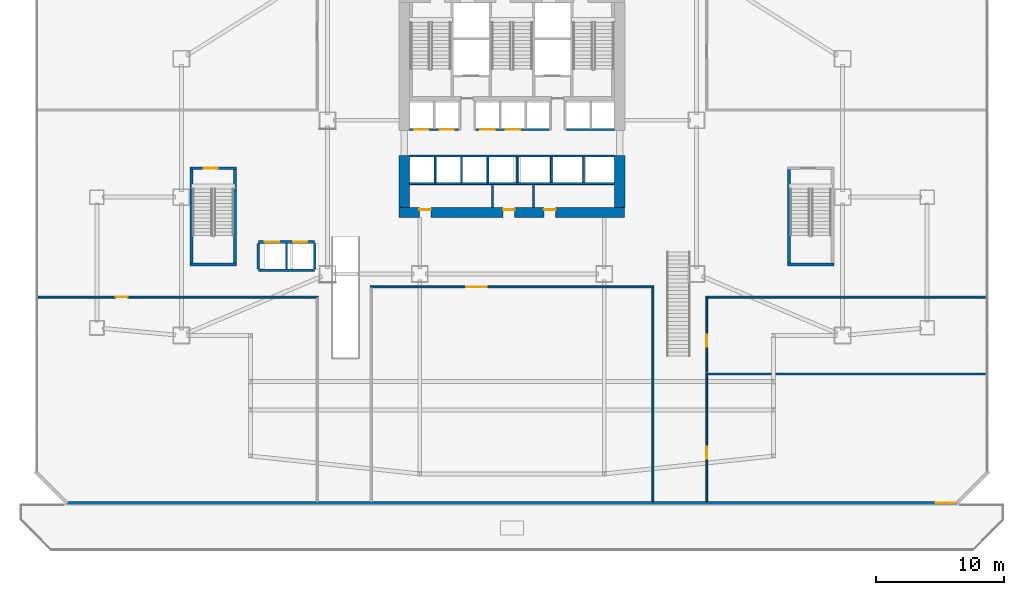
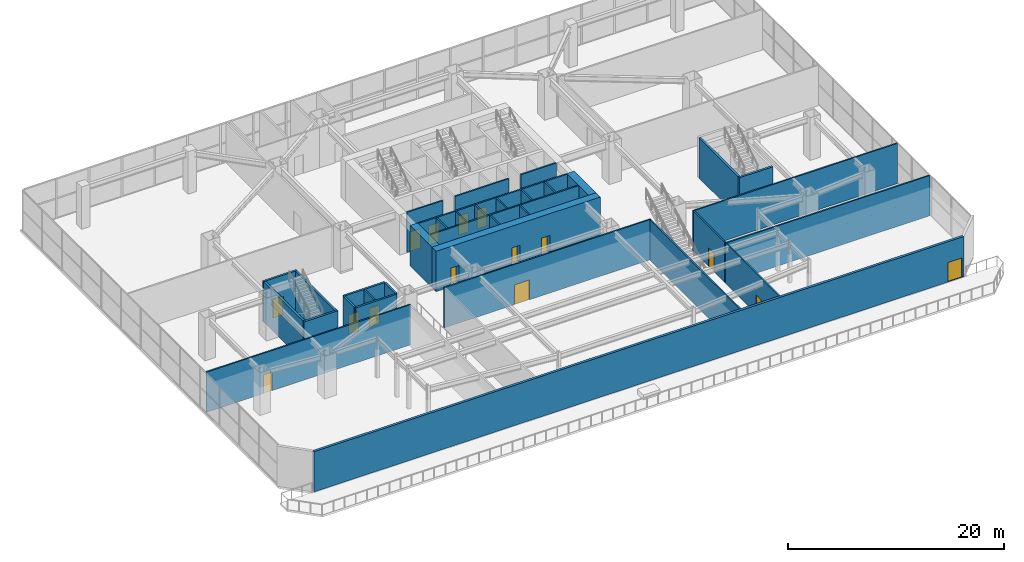
# One storey, part 24 of 31: 35 walls, 15 doors, 15 openings.
"""IFC4 building model written with IfcOpenShell, lengths in metres."""

from ifc_helpers import new_model, si_unit, direction, frame, frame_2d, origin, place, context, subcontext, project, spatial, rectangle, extrude, material, layer, layer_set, type_object, element, fill, save


model = new_model("IFC4")

# Units and contexts
model_context = context("Model", 3, precision=1e-05, world=origin(), true_north=direction((0.0, 1.0)))
body_context = subcontext(model_context, "Body", "Model", "MODEL_VIEW")
ifc_project = project(units=[si_unit("LENGTHUNIT", "METRE"), si_unit("AREAUNIT", "SQUARE_METRE"), si_unit("VOLUMEUNIT", "CUBIC_METRE"), si_unit("PLANEANGLEUNIT", "RADIAN"), si_unit("MASSUNIT", "GRAM", prefix="KILO")], contexts=[model_context])

# Site, building, storey
site_placement = place(None, origin())
site = spatial("IfcSite", under=ifc_project, at=site_placement, CompositionType="ELEMENT")
building_placement = place(site_placement, origin())
building = spatial("IfcBuilding", under=site, at=building_placement, Name="Haolan Belvedere Tower", CompositionType="ELEMENT")
storey_placement = place(building_placement, frame((0.0, 0.0, 5.39990234375)))
storey = spatial("IfcBuildingStorey", under=building, at=storey_placement, Name="L01", CompositionType="ELEMENT", Elevation=5.39990234375)

# Wall, openings, doors
ifc_material_1 = material(Name="Concrete C70/85", Category="concrete")
ifc_layer_1 = layer(ifc_material_1, 0.800048828125, Name="Concrete C70/85")
ifc_layer_set_1 = layer_set([ifc_layer_1], Name="Concrete C70/85")
wall_type_1 = type_object("IfcWallType", Name="WL-CORE-800", PredefinedType="SHEAR", material=ifc_layer_set_1)
wall_1_placement = place(storey_placement, frame((29.60009765625, 26.39990234375, 0.0), z_axis=(0.0, 0.0, 1.0), x_axis=(1.0, 0.0, 0.0)))
wall_1 = element("IfcWall", 1, at=wall_1_placement, inside=storey, type_object=wall_type_1, Name="L01 central core south shear wall", PredefinedType="SHEAR", context=body_context, shape_type="SweptSolid", body=[
    extrude(rectangle(XDim=17.599853515625, YDim=0.800048828125, at=frame_2d((8.7998046875, 0.0))), origin(), (0.0, 0.0, 1.0), 4.56005859375),
])
opening_1_placement = place(wall_1_placement, frame((2.469970703125, 0.0, 0.0), z_axis=(0.0, 0.0, 1.0), x_axis=(-1.0, 0.0, 0.0)))
opening_1 = element("IfcOpeningElement", 2, at=opening_1_placement, cuts=wall_1, Name="Opening FD-05", PredefinedType="OPENING", context=body_context, shape_type="SweptSolid", body=[
    extrude(rectangle(XDim=0.89990234375, YDim=2.10009765625, at=frame_2d((0.449951171875, 1.050048828125))), frame((0.0, 0.409912109375, 0.0), z_axis=(0.0, -1.0, 0.0), x_axis=(1.0, 0.0, 0.0)), (0.0, 0.0, 1.0), 0.820068359375),
])
opening_2_placement = place(wall_1_placement, frame((9.010009765625, 0.0, 0.0), z_axis=(0.0, 0.0, 1.0), x_axis=(-1.0, 0.0, 0.0)))
opening_2 = element("IfcOpeningElement", 3, at=opening_2_placement, cuts=wall_1, Name="Opening FD-05", PredefinedType="OPENING", context=body_context, shape_type="SweptSolid", body=[
    extrude(rectangle(XDim=0.89990234375, YDim=2.10009765625, at=frame_2d((0.449951171875, 1.050048828125))), frame((0.0, 0.409912109375, 0.0), z_axis=(0.0, -1.0, 0.0), x_axis=(1.0, 0.0, 0.0)), (0.0, 0.0, 1.0), 0.820068359375),
])
opening_3_placement = place(wall_1_placement, frame((12.2099609375, 0.0, 0.0), z_axis=(0.0, 0.0, 1.0), x_axis=(-1.0, 0.0, 0.0)))
opening_3 = element("IfcOpeningElement", 4, at=opening_3_placement, cuts=wall_1, Name="Opening FD-05", PredefinedType="OPENING", context=body_context, shape_type="SweptSolid", body=[
    extrude(rectangle(XDim=0.89990234375, YDim=2.10009765625, at=frame_2d((0.449951171875, 1.050048828125))), frame((0.0, 0.409912109375, 0.0), z_axis=(0.0, -1.0, 0.0), x_axis=(1.0, 0.0, 0.0)), (0.0, 0.0, 1.0), 0.820068359375),
])
ifc_material_2 = material(Name="Galvanised fire-rated steel", Category="steel")
door_type_1 = type_object("IfcDoorType", Name="DR-FD60-900", OperationType="NOTDEFINED", PredefinedType="DOOR", material=ifc_material_2)
door_1_placement = place(opening_1_placement, origin())
door_1 = element("IfcDoor", 5, at=door_1_placement, inside=storey, type_object=door_type_1, Name="L01 door CD-L01-SCV-1", OperationType="SINGLE_SWING_LEFT", OverallHeight=2.10009765625, OverallWidth=0.89990234375, PredefinedType="DOOR", context=body_context, shape_type="SweptSolid", body=[
    extrude(rectangle(XDim=0.89990234375, YDim=2.10009765625, at=frame_2d((0.449951171875, 1.050048828125))), frame((0.0, -0.19482421875, 0.0), z_axis=(0.0, -1.0, 0.0), x_axis=(1.0, 0.0, 0.0)), (0.0, 0.0, 1.0), 0.050048828125),
])
fill(opening_1, door_1)
door_2_placement = place(opening_2_placement, origin())
door_2 = element("IfcDoor", 6, at=door_2_placement, inside=storey, type_object=door_type_1, Name="L01 door CD-L01-SCV-2", OperationType="SINGLE_SWING_RIGHT", OverallHeight=2.10009765625, OverallWidth=0.89990234375, PredefinedType="DOOR", context=body_context, shape_type="SweptSolid", body=[
    extrude(rectangle(XDim=0.89990234375, YDim=2.10009765625, at=frame_2d((0.449951171875, 1.050048828125))), frame((0.0, -0.19482421875, 0.0), z_axis=(0.0, -1.0, 0.0), x_axis=(1.0, 0.0, 0.0)), (0.0, 0.0, 1.0), 0.050048828125),
])
fill(opening_2, door_2)
door_3_placement = place(opening_3_placement, origin())
door_3 = element("IfcDoor", 7, at=door_3_placement, inside=storey, type_object=door_type_1, Name="L01 door CD-L01-SCV-3", OperationType="SINGLE_SWING_LEFT", OverallHeight=2.10009765625, OverallWidth=0.89990234375, PredefinedType="DOOR", context=body_context, shape_type="SweptSolid", body=[
    extrude(rectangle(XDim=0.89990234375, YDim=2.10009765625, at=frame_2d((0.449951171875, 1.050048828125))), frame((0.0, -0.19482421875, 0.0), z_axis=(0.0, -1.0, 0.0), x_axis=(1.0, 0.0, 0.0)), (0.0, 0.0, 1.0), 0.050048828125),
])
fill(opening_3, door_3)

# Walls
for number, where, z_axis, x_axis, name in (
    (8, (30.0, 26.800048828125, 0.0), (0.0, 0.0, 1.0), (0.0, 1.0, 0.0), "L01 central core shear wall WS"),
    (9, (46.800048828125, 26.800048828125, 0.0), (0.0, 0.0, 1.0), (0.0, 1.0, 0.0), "L01 central core shear wall ES"),
):
    element("IfcWall", number, at=place(storey_placement, frame(where, z_axis=z_axis, x_axis=x_axis)), inside=storey, type_object=wall_type_1, Name=name, PredefinedType="SHEAR", context=body_context, shape_type="SweptSolid", body=[
        extrude(rectangle(XDim=4.050048828125, YDim=0.800048828125, at=frame_2d((2.02490234375, 0.0))), origin(), (0.0, 0.0, 1.0), 4.56005859375),
    ])

# Wall, opening, door
ifc_material_3 = material(Name="Precast concrete C40/50", Category="concrete")
ifc_layer_2 = layer(ifc_material_3, 0.260009765625, Name="Precast concrete C40/50")
ifc_layer_set_2 = layer_set([ifc_layer_2], Name="Precast concrete C40/50")
wall_type_2 = type_object("IfcWallType", Name="WL-EXT-260", PredefinedType="SOLIDWALL", material=ifc_layer_set_2)
wall_2_placement = place(storey_placement, frame((3.598876953125, 3.72998046875, 0.0), z_axis=(0.0, 0.0, 1.0), x_axis=(1.0, 0.0, 0.0)))
wall_2 = element("IfcWall", 10, at=wall_2_placement, inside=storey, type_object=wall_type_2, Name="L01 pale-metal exterior spandrel wall 6.1", PredefinedType="SOLIDWALL", context=body_context, shape_type="SweptSolid", body=[
    extrude(rectangle(XDim=69.602294921875, YDim=0.260009765625, at=frame_2d((34.80126953125, 0.0))), origin(), (0.0, 0.0, 1.0), 4.56005859375),
])
opening_4_placement = place(wall_2_placement, frame((69.38232421875, 0.0, 0.0), z_axis=(0.0, 0.0, 1.0), x_axis=(-1.0, 0.0, 0.0)))
opening_4 = element("IfcOpeningElement", 11, at=opening_4_placement, cuts=wall_2, Name="Opening TD-01", PredefinedType="OPENING", context=body_context, shape_type="SweptSolid", body=[
    extrude(rectangle(XDim=1.5, YDim=2.199951171875, at=frame_2d((0.75, 1.10009765625))), frame((0.0, 0.139892578125, 0.0), z_axis=(0.0, -1.0, 0.0), x_axis=(1.0, 0.0, 0.0)), (0.0, 0.0, 1.0), 0.280029296875),
])
ifc_material_4 = material(Name="Thermally broken pale-metal aluminium and Low-E glass", Category="aluminium")
door_type_2 = type_object("IfcDoorType", Name="DR-TER-1500", OperationType="DOUBLE_DOOR_SINGLE_SWING", PredefinedType="DOOR", material=ifc_material_4)
door_4_placement = place(opening_4_placement, origin())
door_4 = element("IfcDoor", 12, at=door_4_placement, inside=storey, type_object=door_type_2, Name="L01 garden terrace access door 1", OperationType="DOUBLE_DOOR_SINGLE_SWING", OverallHeight=2.199951171875, OverallWidth=1.5, PredefinedType="DOOR", context=body_context, shape_type="SweptSolid", body=[
    extrude(rectangle(XDim=1.5, YDim=2.199951171875, at=frame_2d((0.75, 1.10009765625))), frame((0.0, 0.02490234375, 0.0), z_axis=(0.0, -1.0, 0.0), x_axis=(1.0, 0.0, 0.0)), (0.0, 0.0, 1.0), 0.050048828125),
])
fill(opening_4, door_4)

# Walls
ifc_material_5 = material(Name="Double gypsum acoustic stud partition", Category="masonry")
ifc_layer_3 = layer(ifc_material_5, 0.14990234375, Name="Double gypsum acoustic stud partition")
ifc_layer_set_3 = layer_set([ifc_layer_3], Name="Double gypsum acoustic stud partition")
wall_type_3 = type_object("IfcWallType", Name="WL-PART-150", PredefinedType="PARTITIONING", material=ifc_layer_set_3)
wall_3_placement = place(storey_placement, frame((30.39990234375, 28.659912109375, 0.0), z_axis=(0.0, 0.0, 1.0), x_axis=(1.0, 0.0, 0.0)))
element("IfcWall", 13, at=wall_3_placement, inside=storey, type_object=wall_type_3, Name="L01 interior partition IW-L01-SSTRIP-N", PredefinedType="PARTITIONING", context=body_context, shape_type="SweptSolid", body=[
    extrude(rectangle(XDim=16.0, YDim=0.14990234375, at=frame_2d((8.0, 0.0))), origin(), (0.0, 0.0, 1.0), 4.56005859375),
])
for number, where, z_axis, x_axis, name in (
    (14, (36.8798828125, 26.81005859375, 0.0), (0.0, 0.0, 1.0), (0.0, 1.0, 0.0), "L01 interior partition IW-L01-SCV-DIV-1"),
    (15, (40.080078125, 26.81005859375, 0.0), (0.0, 0.0, 1.0), (0.0, 1.0, 0.0), "L01 interior partition IW-L01-SCV-DIV-2"),
):
    element("IfcWall", number, at=place(storey_placement, frame(where, z_axis=z_axis, x_axis=x_axis)), inside=storey, type_object=wall_type_3, Name=name, PredefinedType="PARTITIONING", context=body_context, shape_type="SweptSolid", body=[
        extrude(rectangle(XDim=1.77001953125, YDim=0.14990234375, at=frame_2d((0.885009765625, 0.0))), origin(), (0.0, 0.0, 1.0), 4.56005859375),
    ])

# Wall, opening, door
wall_4_placement = place(storey_placement, frame((27.320068359375, 20.60009765625, 0.0), z_axis=(0.0, 0.0, 1.0), x_axis=(1.0, 0.0, 0.0)))
wall_4 = element("IfcWall", 16, at=wall_4_placement, inside=storey, type_object=wall_type_3, Name="L01 interior partition IW-L01-ADD-N", PredefinedType="PARTITIONING", context=body_context, shape_type="SweptSolid", body=[
    extrude(rectangle(XDim=22.159912109375, YDim=0.14990234375, at=frame_2d((11.080078125, 0.0))), origin(), (0.0, 0.0, 1.0), 4.56005859375),
])
opening_5_placement = place(wall_4_placement, frame((9.10009765625, 0.0, 0.0), z_axis=(0.0, 0.0, 1.0), x_axis=(-1.0, 0.0, 0.0)))
opening_5 = element("IfcOpeningElement", 17, at=opening_5_placement, cuts=wall_4, Name="Opening ID-06", PredefinedType="OPENING", context=body_context, shape_type="SweptSolid", body=[
    extrude(rectangle(XDim=1.60009765625, YDim=2.25, at=frame_2d((0.800048828125, 1.125))), frame((0.0, 0.0849609375, 0.0), z_axis=(0.0, -1.0, 0.0), x_axis=(1.0, 0.0, 0.0)), (0.0, 0.0, 1.0), 0.169921875),
])
ifc_material_6 = material(Name="Anodised bronze-champagne aluminium and acoustic glass", Category="aluminium")
door_type_3 = type_object("IfcDoorType", Name="DR-DBL-1600", OperationType="DOUBLE_DOOR_SINGLE_SWING", PredefinedType="DOOR", material=ifc_material_6)
door_5_placement = place(opening_5_placement, origin())
door_5 = element("IfcDoor", 18, at=door_5_placement, inside=storey, type_object=door_type_3, Name="L01 door ID-L01-ADD", OperationType="DOUBLE_DOOR_SINGLE_SWING", OverallHeight=2.25, OverallWidth=1.60009765625, PredefinedType="DOOR", context=body_context, shape_type="SweptSolid", body=[
    extrude(rectangle(XDim=1.60009765625, YDim=2.25, at=frame_2d((0.800048828125, 1.125))), frame((0.0, 0.02490234375, 0.0), z_axis=(0.0, -1.0, 0.0), x_axis=(1.0, 0.0, 0.0)), (0.0, 0.0, 1.0), 0.050048828125),
])
fill(opening_5, door_5)

# Wall
wall_5_placement = place(storey_placement, frame((49.39990234375, 3.844970703125, 0.0), z_axis=(0.0, 0.0, 1.0), x_axis=(0.0, 1.0, 0.0)))
element("IfcWall", 19, at=wall_5_placement, inside=storey, type_object=wall_type_3, Name="L01 interior partition IW-L01-ADD-E", PredefinedType="PARTITIONING", context=body_context, shape_type="SweptSolid", body=[
    extrude(rectangle(XDim=16.695068359375, YDim=0.14990234375, at=frame_2d((8.34765625, 0.0))), origin(), (0.0, 0.0, 1.0), 4.56005859375),
])

# Wall, opening, door
wall_6_placement = place(storey_placement, frame((1.412109375, 19.800048828125, 0.0), z_axis=(0.0, 0.0, 1.0), x_axis=(1.0, 0.0, 0.0)))
wall_6 = element("IfcWall", 20, at=wall_6_placement, inside=storey, type_object=wall_type_3, Name="L01 interior partition IW-L01-CANT-N", PredefinedType="PARTITIONING", context=body_context, shape_type="SweptSolid", body=[
    extrude(rectangle(XDim=21.867919921875, YDim=0.14990234375, at=frame_2d((10.93408203125, 0.0))), origin(), (0.0, 0.0, 1.0), 4.56005859375),
])
opening_6_placement = place(wall_6_placement, frame((7.008056640625, 0.0, 0.0), z_axis=(0.0, 0.0, 1.0), x_axis=(-1.0, 0.0, 0.0)))
opening_6 = element("IfcOpeningElement", 21, at=opening_6_placement, cuts=wall_6, Name="Opening ID-03", PredefinedType="OPENING", context=body_context, shape_type="SweptSolid", body=[
    extrude(rectangle(XDim=0.949951171875, YDim=2.1201171875, at=frame_2d((0.47509765625, 1.06005859375))), frame((0.0, 0.0849609375, 0.0), z_axis=(0.0, -1.0, 0.0), x_axis=(1.0, 0.0, 0.0)), (0.0, 0.0, 1.0), 0.169921875),
])
ifc_material_7 = material(Name="Painted solid-core timber", Category="wood")
door_type_4 = type_object("IfcDoorType", Name="DR-INT-950", OperationType="NOTDEFINED", PredefinedType="DOOR", material=ifc_material_7)
door_6_placement = place(opening_6_placement, origin())
door_6 = element("IfcDoor", 22, at=door_6_placement, inside=storey, type_object=door_type_4, Name="L01 door ID-L01-CANT", OperationType="SINGLE_SWING_LEFT", OverallHeight=2.1201171875, OverallWidth=0.949951171875, PredefinedType="DOOR", context=body_context, shape_type="SweptSolid", body=[
    extrude(rectangle(XDim=0.949951171875, YDim=2.1201171875, at=frame_2d((0.47509765625, 1.06005859375))), frame((0.0, 0.02490234375, 0.0), z_axis=(0.0, -1.0, 0.0), x_axis=(1.0, 0.0, 0.0)), (0.0, 0.0, 1.0), 0.050048828125),
])
fill(opening_6, door_6)

# Wall
wall_7_placement = place(storey_placement, frame((53.52001953125, 13.800048828125, 0.0), z_axis=(0.0, 0.0, 1.0), x_axis=(1.0, 0.0, 0.0)))
element("IfcWall", 23, at=wall_7_placement, inside=storey, type_object=wall_type_3, Name="L01 interior partition IW-L01-PDR1-N", PredefinedType="PARTITIONING", context=body_context, shape_type="SweptSolid", body=[
    extrude(rectangle(XDim=21.867919921875, YDim=0.14990234375, at=frame_2d((10.93408203125, 0.0))), origin(), (0.0, 0.0, 1.0), 4.56005859375),
])

# Wall, opening, door
wall_8_placement = place(storey_placement, frame((53.60009765625, 3.844970703125, 0.0), z_axis=(0.0, 0.0, 1.0), x_axis=(0.0, 1.0, 0.0)))
wall_8 = element("IfcWall", 24, at=wall_8_placement, inside=storey, type_object=wall_type_3, Name="L01 interior partition IW-L01-PDR1-W", PredefinedType="PARTITIONING", context=body_context, shape_type="SweptSolid", body=[
    extrude(rectangle(XDim=9.89501953125, YDim=0.14990234375, at=frame_2d((4.947509765625, 0.0))), origin(), (0.0, 0.0, 1.0), 4.56005859375),
])
opening_7_placement = place(wall_8_placement, frame((3.324951171875, 0.0, 0.0)))
opening_7 = element("IfcOpeningElement", 25, at=opening_7_placement, cuts=wall_8, Name="Opening ID-03", PredefinedType="OPENING", context=body_context, shape_type="SweptSolid", body=[
    extrude(rectangle(XDim=0.949951171875, YDim=2.1201171875, at=frame_2d((0.47509765625, 1.06005859375))), frame((0.0, 0.0849609375, 0.0), z_axis=(0.0, -1.0, 0.0), x_axis=(1.0, 0.0, 0.0)), (0.0, 0.0, 1.0), 0.169921875),
])
door_7_placement = place(opening_7_placement, origin())
door_7 = element("IfcDoor", 26, at=door_7_placement, inside=storey, type_object=door_type_4, Name="L01 door ID-L01-PDR1", OperationType="SINGLE_SWING_RIGHT", OverallHeight=2.1201171875, OverallWidth=0.949951171875, PredefinedType="DOOR", context=body_context, shape_type="SweptSolid", body=[
    extrude(rectangle(XDim=0.949951171875, YDim=2.1201171875, at=frame_2d((0.47509765625, 1.06005859375))), frame((0.0, 0.02490234375, 0.0), z_axis=(0.0, -1.0, 0.0), x_axis=(1.0, 0.0, 0.0)), (0.0, 0.0, 1.0), 0.050048828125),
])
fill(opening_7, door_7)

# Wall
wall_9_placement = place(storey_placement, frame((53.52001953125, 19.800048828125, 0.0), z_axis=(0.0, 0.0, 1.0), x_axis=(1.0, 0.0, 0.0)))
element("IfcWall", 27, at=wall_9_placement, inside=storey, type_object=wall_type_3, Name="L01 interior partition IW-L01-PDR2-N", PredefinedType="PARTITIONING", context=body_context, shape_type="SweptSolid", body=[
    extrude(rectangle(XDim=21.867919921875, YDim=0.14990234375, at=frame_2d((10.93408203125, 0.0))), origin(), (0.0, 0.0, 1.0), 4.56005859375),
])

# Wall, opening, door
wall_10_placement = place(storey_placement, frame((53.60009765625, 13.919921875, 0.0), z_axis=(0.0, 0.0, 1.0), x_axis=(0.0, 1.0, 0.0)))
wall_10 = element("IfcWall", 28, at=wall_10_placement, inside=storey, type_object=wall_type_3, Name="L01 interior partition IW-L01-PDR2-W", PredefinedType="PARTITIONING", context=body_context, shape_type="SweptSolid", body=[
    extrude(rectangle(XDim=5.820068359375, YDim=0.14990234375, at=frame_2d((2.91015625, 0.0))), origin(), (0.0, 0.0, 1.0), 4.56005859375),
])
opening_8_placement = place(wall_10_placement, frame((2.0, 0.0, 0.0)))
opening_8 = element("IfcOpeningElement", 29, at=opening_8_placement, cuts=wall_10, Name="Opening ID-03", PredefinedType="OPENING", context=body_context, shape_type="SweptSolid", body=[
    extrude(rectangle(XDim=0.949951171875, YDim=2.1201171875, at=frame_2d((0.47509765625, 1.06005859375))), frame((0.0, 0.0849609375, 0.0), z_axis=(0.0, -1.0, 0.0), x_axis=(1.0, 0.0, 0.0)), (0.0, 0.0, 1.0), 0.169921875),
])
door_8_placement = place(opening_8_placement, origin())
door_8 = element("IfcDoor", 30, at=door_8_placement, inside=storey, type_object=door_type_4, Name="L01 door ID-L01-PDR2", OperationType="SINGLE_SWING_LEFT", OverallHeight=2.1201171875, OverallWidth=0.949951171875, PredefinedType="DOOR", context=body_context, shape_type="SweptSolid", body=[
    extrude(rectangle(XDim=0.949951171875, YDim=2.1201171875, at=frame_2d((0.47509765625, 1.06005859375))), frame((0.0, 0.02490234375, 0.0), z_axis=(0.0, -1.0, 0.0), x_axis=(1.0, 0.0, 0.0)), (0.0, 0.0, 1.0), 0.050048828125),
])
fill(opening_8, door_8)

# Wall, openings, doors
ifc_material_8 = material(Name="Gypsum fire shaftwall assembly", Category="masonry")
ifc_layer_4 = layer(ifc_material_8, 0.1650390625, Name="Gypsum fire shaftwall assembly")
ifc_layer_set_4 = layer_set([ifc_layer_4], Name="Gypsum fire shaftwall assembly")
wall_type_4 = type_object("IfcWallType", Name="WL-SHAFT-160", PredefinedType="SOLIDWALL", material=ifc_layer_set_4)
wall_11_placement = place(storey_placement, frame((30.39990234375, 32.8798828125, 0.0), z_axis=(0.0, 0.0, 1.0), x_axis=(1.0, 0.0, 0.0)))
wall_11 = element("IfcWall", 31, at=wall_11_placement, inside=storey, type_object=wall_type_4, Name="L01 interior partition IW-L01-ROW-PN1", PredefinedType="SOLIDWALL", context=body_context, shape_type="SweptSolid", body=[
    extrude(rectangle(XDim=3.85009765625, YDim=0.159912109375, at=frame_2d((1.925048828125, 0.0))), origin(), (0.0, 0.0, 1.0), 4.56005859375),
])
opening_9_placement = place(wall_11_placement, frame((1.47998046875, 0.0, 0.0), z_axis=(0.0, 0.0, 1.0), x_axis=(-1.0, 0.0, 0.0)))
opening_9 = element("IfcOpeningElement", 32, at=opening_9_placement, cuts=wall_11, Name="Opening LD-01", PredefinedType="OPENING", context=body_context, shape_type="SweptSolid", body=[
    extrude(rectangle(XDim=1.10009765625, YDim=2.199951171875, at=frame_2d((0.550048828125, 1.10009765625))), frame((0.0, 0.08984375, 0.0), z_axis=(0.0, -1.0, 0.0), x_axis=(1.0, 0.0, 0.0)), (0.0, 0.0, 1.0), 0.179931640625),
])
opening_10_placement = place(wall_11_placement, frame((3.47021484375, 0.0, 0.0), z_axis=(0.0, 0.0, 1.0), x_axis=(-1.0, 0.0, 0.0)))
opening_10 = element("IfcOpeningElement", 33, at=opening_10_placement, cuts=wall_11, Name="Opening LD-01", PredefinedType="OPENING", context=body_context, shape_type="SweptSolid", body=[
    extrude(rectangle(XDim=1.10009765625, YDim=2.199951171875, at=frame_2d((0.550048828125, 1.10009765625))), frame((0.0, 0.08984375, 0.0), z_axis=(0.0, -1.0, 0.0), x_axis=(1.0, 0.0, 0.0)), (0.0, 0.0, 1.0), 0.179931640625),
])
ifc_material_9 = material(Name="Brushed champagne stainless steel 316L", Category="steel")
door_type_5 = type_object("IfcDoorType", Name="DR-LIFT-1100", OperationType="SLIDING_TO_LEFT", PredefinedType="DOOR", material=ifc_material_9)
door_9_placement = place(opening_9_placement, origin())
door_9 = element("IfcDoor", 34, at=door_9_placement, inside=storey, type_object=door_type_5, Name="L01 door ID-L01-LD-PL1", OperationType="SLIDING_TO_LEFT", OverallHeight=2.199951171875, OverallWidth=1.10009765625, PredefinedType="DOOR", context=body_context, shape_type="SweptSolid", body=[
    extrude(rectangle(XDim=1.10009765625, YDim=2.199951171875, at=frame_2d((0.550048828125, 1.10009765625))), frame((0.0, 0.02490234375, 0.0), z_axis=(0.0, -1.0, 0.0), x_axis=(1.0, 0.0, 0.0)), (0.0, 0.0, 1.0), 0.050048828125),
])
fill(opening_9, door_9)
door_10_placement = place(opening_10_placement, origin())
door_10 = element("IfcDoor", 35, at=door_10_placement, inside=storey, type_object=door_type_5, Name="L01 door ID-L01-LD-PL2", OperationType="SLIDING_TO_LEFT", OverallHeight=2.199951171875, OverallWidth=1.10009765625, PredefinedType="DOOR", context=body_context, shape_type="SweptSolid", body=[
    extrude(rectangle(XDim=1.10009765625, YDim=2.199951171875, at=frame_2d((0.550048828125, 1.10009765625))), frame((0.0, 0.02490234375, 0.0), z_axis=(0.0, -1.0, 0.0), x_axis=(1.0, 0.0, 0.0)), (0.0, 0.0, 1.0), 0.050048828125),
])
fill(opening_10, door_10)

wall_12_placement = place(storey_placement, frame((35.570068359375, 32.8798828125, 0.0), z_axis=(0.0, 0.0, 1.0), x_axis=(1.0, 0.0, 0.0)))
wall_12 = element("IfcWall", 36, at=wall_12_placement, inside=storey, type_object=wall_type_4, Name="L01 interior partition IW-L01-ROW-PN2", PredefinedType="SOLIDWALL", context=body_context, shape_type="SweptSolid", body=[
    extrude(rectangle(XDim=5.739990234375, YDim=0.159912109375, at=frame_2d((2.8701171875, 0.0))), origin(), (0.0, 0.0, 1.0), 4.56005859375),
])
opening_11_placement = place(wall_12_placement, frame((1.47021484375, 0.0, 0.0), z_axis=(0.0, 0.0, 1.0), x_axis=(-1.0, 0.0, 0.0)))
opening_11 = element("IfcOpeningElement", 37, at=opening_11_placement, cuts=wall_12, Name="Opening LD-01", PredefinedType="OPENING", context=body_context, shape_type="SweptSolid", body=[
    extrude(rectangle(XDim=1.10009765625, YDim=2.199951171875, at=frame_2d((0.550048828125, 1.10009765625))), frame((0.0, 0.08984375, 0.0), z_axis=(0.0, -1.0, 0.0), x_axis=(1.0, 0.0, 0.0)), (0.0, 0.0, 1.0), 0.179931640625),
])
opening_12_placement = place(wall_12_placement, frame((3.460205078125, 0.0, 0.0), z_axis=(0.0, 0.0, 1.0), x_axis=(-1.0, 0.0, 0.0)))
opening_12 = element("IfcOpeningElement", 38, at=opening_12_placement, cuts=wall_12, Name="Opening LD-01", PredefinedType="OPENING", context=body_context, shape_type="SweptSolid", body=[
    extrude(rectangle(XDim=1.10009765625, YDim=2.199951171875, at=frame_2d((0.550048828125, 1.10009765625))), frame((0.0, 0.08984375, 0.0), z_axis=(0.0, -1.0, 0.0), x_axis=(1.0, 0.0, 0.0)), (0.0, 0.0, 1.0), 0.179931640625),
])
door_11_placement = place(opening_11_placement, origin())
door_11 = element("IfcDoor", 39, at=door_11_placement, inside=storey, type_object=door_type_5, Name="L01 door ID-L01-LD-PL3", OperationType="SLIDING_TO_LEFT", OverallHeight=2.199951171875, OverallWidth=1.10009765625, PredefinedType="DOOR", context=body_context, shape_type="SweptSolid", body=[
    extrude(rectangle(XDim=1.10009765625, YDim=2.199951171875, at=frame_2d((0.550048828125, 1.10009765625))), frame((0.0, 0.02490234375, 0.0), z_axis=(0.0, -1.0, 0.0), x_axis=(1.0, 0.0, 0.0)), (0.0, 0.0, 1.0), 0.050048828125),
])
fill(opening_11, door_11)
door_12_placement = place(opening_12_placement, origin())
door_12 = element("IfcDoor", 40, at=door_12_placement, inside=storey, type_object=door_type_5, Name="L01 door ID-L01-LD-PL4", OperationType="SLIDING_TO_LEFT", OverallHeight=2.199951171875, OverallWidth=1.10009765625, PredefinedType="DOOR", context=body_context, shape_type="SweptSolid", body=[
    extrude(rectangle(XDim=1.10009765625, YDim=2.199951171875, at=frame_2d((0.550048828125, 1.10009765625))), frame((0.0, 0.02490234375, 0.0), z_axis=(0.0, -1.0, 0.0), x_axis=(1.0, 0.0, 0.0)), (0.0, 0.0, 1.0), 0.050048828125),
])
fill(opening_12, door_12)

# Walls
wall_13_placement = place(storey_placement, frame((42.6298828125, 32.8798828125, 0.0), z_axis=(0.0, 0.0, 1.0), x_axis=(1.0, 0.0, 0.0)))
element("IfcWall", 41, at=wall_13_placement, inside=storey, type_object=wall_type_4, Name="L01 interior partition IW-L01-ROW-PN3", PredefinedType="SOLIDWALL", context=body_context, shape_type="SweptSolid", body=[
    extrude(rectangle(XDim=3.77001953125, YDim=0.159912109375, at=frame_2d((1.885009765625, 0.0))), origin(), (0.0, 0.0, 1.0), 4.56005859375),
])
wall_14_placement = place(storey_placement, frame((30.39990234375, 30.800048828125, 0.0), z_axis=(0.0, 0.0, 1.0), x_axis=(1.0, 0.0, 0.0)))
element("IfcWall", 42, at=wall_14_placement, inside=storey, type_object=wall_type_4, Name="L01 interior partition IW-L01-ROW-PS", PredefinedType="SOLIDWALL", context=body_context, shape_type="SweptSolid", body=[
    extrude(rectangle(XDim=16.0, YDim=0.159912109375, at=frame_2d((8.0, 0.0))), origin(), (0.0, 0.0, 1.0), 4.56005859375),
])
for number, where, z_axis, x_axis, name in (
    (43, (32.39990234375, 28.735107421875, 0.0), (0.0, 0.0, 1.0), (0.0, 1.0, 0.0), "L01 interior partition IW-L01-DIV-PM1"),
    (44, (34.4599609375, 28.735107421875, 0.0), (0.0, 0.0, 1.0), (0.0, 1.0, 0.0), "L01 interior partition IW-L01-DIV-PM2"),
    (45, (36.52001953125, 28.735107421875, 0.0), (0.0, 0.0, 1.0), (0.0, 1.0, 0.0), "L01 interior partition IW-L01-DIV-PM3"),
    (46, (38.800048828125, 28.735107421875, 0.0), (0.0, 0.0, 1.0), (0.0, 1.0, 0.0), "L01 interior partition IW-L01-DIV-PM4"),
):
    element("IfcWall", number, at=place(storey_placement, frame(where, z_axis=z_axis, x_axis=x_axis)), inside=storey, type_object=wall_type_4, Name=name, PredefinedType="SOLIDWALL", context=body_context, shape_type="SweptSolid", body=[
        extrude(rectangle(XDim=1.98486328125, YDim=0.14990234375, at=frame_2d((0.992431640625, 0.0))), origin(), (0.0, 0.0, 1.0), 4.56005859375),
    ])
for number, where, z_axis, x_axis, name in (
    (47, (41.469970703125, 28.75, 0.0), (0.0, 0.0, 1.0), (0.0, 1.0, 0.0), "L01 interior partition IW-L01-DIV-OB1"),
    (48, (43.97998046875, 28.75, 0.0), (0.0, 0.0, 1.0), (0.0, 1.0, 0.0), "L01 interior partition IW-L01-DIV-OB2"),
):
    element("IfcWall", number, at=place(storey_placement, frame(where, z_axis=z_axis, x_axis=x_axis)), inside=storey, type_object=wall_type_4, Name=name, PredefinedType="SOLIDWALL", context=body_context, shape_type="SweptSolid", body=[
        extrude(rectangle(XDim=1.985107421875, YDim=0.14990234375, at=frame_2d((0.99267578125, 0.0))), origin(), (0.0, 0.0, 1.0), 4.56005859375),
    ])
wall_15_placement = place(storey_placement, frame((20.800048828125, 22.0, 0.0), z_axis=(0.0, 0.0, 1.0), x_axis=(0.0, 1.0, 0.0)))
element("IfcWall", 49, at=wall_15_placement, inside=storey, type_object=wall_type_4, Name="L01 interior partition IW-L01-PB-M", PredefinedType="SOLIDWALL", context=body_context, shape_type="SweptSolid", body=[
    extrude(rectangle(XDim=2.0, YDim=0.159912109375, at=frame_2d((1.0, 0.0))), origin(), (0.0, 0.0, 1.0), 4.56005859375),
])

# Wall, openings, doors
ifc_layer_5 = layer(ifc_material_3, 0.205078125, Name="Precast concrete C40/50")
ifc_layer_set_5 = layer_set([ifc_layer_5], Name="Precast concrete C40/50")
wall_type_5 = type_object("IfcWallType", Name="WL-SHAFT-200", PredefinedType="SOLIDWALL", material=ifc_layer_set_5)
wall_16_placement = place(storey_placement, frame((18.60009765625, 24.10009765625, 0.0), z_axis=(0.0, 0.0, 1.0), x_axis=(1.0, 0.0, 0.0)))
wall_16 = element("IfcWall", 50, at=wall_16_placement, inside=storey, type_object=wall_type_5, Name="L01 interior partition IW-L01-PB-N", PredefinedType="SOLIDWALL", context=body_context, shape_type="SweptSolid", body=[
    extrude(rectangle(XDim=4.39990234375, YDim=0.199951171875, at=frame_2d((2.199951171875, 0.0))), origin(), (0.0, 0.0, 1.0), 4.56005859375),
])
opening_13_placement = place(wall_16_placement, frame((0.52001953125, 0.0, 0.0)))
opening_13 = element("IfcOpeningElement", 51, at=opening_13_placement, cuts=wall_16, Name="Opening LD-01", PredefinedType="OPENING", context=body_context, shape_type="SweptSolid", body=[
    extrude(rectangle(XDim=1.10009765625, YDim=2.199951171875, at=frame_2d((0.550048828125, 1.10009765625))), frame((0.0, 0.10986328125, 0.0), z_axis=(0.0, -1.0, 0.0), x_axis=(1.0, 0.0, 0.0)), (0.0, 0.0, 1.0), 0.219970703125),
])
opening_14_placement = place(wall_16_placement, frame((2.719970703125, 0.0, 0.0)))
opening_14 = element("IfcOpeningElement", 52, at=opening_14_placement, cuts=wall_16, Name="Opening LD-01", PredefinedType="OPENING", context=body_context, shape_type="SweptSolid", body=[
    extrude(rectangle(XDim=1.10009765625, YDim=2.199951171875, at=frame_2d((0.550048828125, 1.10009765625))), frame((0.0, 0.10986328125, 0.0), z_axis=(0.0, -1.0, 0.0), x_axis=(1.0, 0.0, 0.0)), (0.0, 0.0, 1.0), 0.219970703125),
])
door_13_placement = place(opening_13_placement, origin())
door_13 = element("IfcDoor", 53, at=door_13_placement, inside=storey, type_object=door_type_5, Name="L01 door ID-L01-LD-PB1", OperationType="SLIDING_TO_LEFT", OverallHeight=2.199951171875, OverallWidth=1.10009765625, PredefinedType="DOOR", context=body_context, shape_type="SweptSolid", body=[
    extrude(rectangle(XDim=1.10009765625, YDim=2.199951171875, at=frame_2d((0.550048828125, 1.10009765625))), frame((0.0, 0.02490234375, 0.0), z_axis=(0.0, -1.0, 0.0), x_axis=(1.0, 0.0, 0.0)), (0.0, 0.0, 1.0), 0.050048828125),
])
fill(opening_13, door_13)
door_14_placement = place(opening_14_placement, origin())
door_14 = element("IfcDoor", 54, at=door_14_placement, inside=storey, type_object=door_type_5, Name="L01 door ID-L01-LD-PB2", OperationType="SLIDING_TO_LEFT", OverallHeight=2.199951171875, OverallWidth=1.10009765625, PredefinedType="DOOR", context=body_context, shape_type="SweptSolid", body=[
    extrude(rectangle(XDim=1.10009765625, YDim=2.199951171875, at=frame_2d((0.550048828125, 1.10009765625))), frame((0.0, 0.02490234375, 0.0), z_axis=(0.0, -1.0, 0.0), x_axis=(1.0, 0.0, 0.0)), (0.0, 0.0, 1.0), 0.050048828125),
])
fill(opening_14, door_14)

# Walls
wall_17_placement = place(storey_placement, frame((18.60009765625, 21.89990234375, 0.0), z_axis=(0.0, 0.0, 1.0), x_axis=(1.0, 0.0, 0.0)))
element("IfcWall", 55, at=wall_17_placement, inside=storey, type_object=wall_type_5, Name="L01 interior partition IW-L01-PB-S", PredefinedType="SOLIDWALL", context=body_context, shape_type="SweptSolid", body=[
    extrude(rectangle(XDim=4.39990234375, YDim=0.199951171875, at=frame_2d((2.199951171875, 0.0))), origin(), (0.0, 0.0, 1.0), 4.56005859375),
])
for number, where, z_axis, x_axis, name in (
    (56, (18.60009765625, 22.0, 0.0), (0.0, 0.0, 1.0), (0.0, 1.0, 0.0), "L01 interior partition IW-L01-PB-W"),
    (57, (23.0, 22.0, 0.0), (0.0, 0.0, 1.0), (0.0, 1.0, 0.0), "L01 interior partition IW-L01-PB-E"),
):
    element("IfcWall", number, at=place(storey_placement, frame(where, z_axis=z_axis, x_axis=x_axis)), inside=storey, type_object=wall_type_5, Name=name, PredefinedType="SOLIDWALL", context=body_context, shape_type="SweptSolid", body=[
        extrude(rectangle(XDim=2.0, YDim=0.199951171875, at=frame_2d((1.0, 0.0))), origin(), (0.0, 0.0, 1.0), 4.56005859375),
    ])

# Wall, opening, door
ifc_material_10 = material(Name="Concrete C50/60", Category="concrete")
ifc_layer_6 = layer(ifc_material_10, 0.219970703125, Name="Concrete C50/60")
ifc_layer_set_6 = layer_set([ifc_layer_6], Name="Concrete C50/60")
wall_type_6 = type_object("IfcWallType", Name="WL-STAIR-220", PredefinedType="SHEAR", material=ifc_layer_set_6)
wall_18_placement = place(storey_placement, frame((13.280029296875, 29.860107421875, 0.0), z_axis=(0.0, 0.0, 1.0), x_axis=(1.0, 0.0, 0.0)))
wall_18 = element("IfcWall", 58, at=wall_18_placement, inside=storey, type_object=wall_type_6, Name="L01 podium stair ST4 structural shaft wall N", PredefinedType="SHEAR", context=body_context, shape_type="SweptSolid", body=[
    extrude(rectangle(XDim=3.619873046875, YDim=0.219970703125, at=frame_2d((1.81005859375, 0.0))), origin(), (0.0, 0.0, 1.0), 4.56005859375),
])
opening_15_placement = place(wall_18_placement, frame((1.050048828125, 0.0, 0.0)))
opening_15 = element("IfcOpeningElement", 59, at=opening_15_placement, cuts=wall_18, Name="Opening FD-03", PredefinedType="OPENING", context=body_context, shape_type="SweptSolid", body=[
    extrude(rectangle(XDim=1.10009765625, YDim=2.14990234375, at=frame_2d((0.550048828125, 1.074951171875))), frame((0.0, 0.119873046875, 0.0), z_axis=(0.0, -1.0, 0.0), x_axis=(1.0, 0.0, 0.0)), (0.0, 0.0, 1.0), 0.239990234375),
])
door_type_6 = type_object("IfcDoorType", Name="DR-FD90-1100", OperationType="NOTDEFINED", PredefinedType="DOOR", material=ifc_material_2)
door_15_placement = place(opening_15_placement, origin())
door_15 = element("IfcDoor", 60, at=door_15_placement, inside=storey, type_object=door_type_6, Name="L01 door ID-L01-D-ST4", OperationType="SINGLE_SWING_LEFT", OverallHeight=2.14990234375, OverallWidth=1.10009765625, PredefinedType="DOOR", context=body_context, shape_type="SweptSolid", body=[
    extrude(rectangle(XDim=1.10009765625, YDim=2.14990234375, at=frame_2d((0.550048828125, 1.074951171875))), frame((0.0, 0.02490234375, 0.0), z_axis=(0.0, -1.0, 0.0), x_axis=(1.0, 0.0, 0.0)), (0.0, 0.0, 1.0), 0.050048828125),
])
fill(opening_15, door_15)

# Walls
wall_19_placement = place(storey_placement, frame((13.280029296875, 22.340087890625, 0.0), z_axis=(0.0, 0.0, 1.0), x_axis=(1.0, 0.0, 0.0)))
element("IfcWall", 61, at=wall_19_placement, inside=storey, type_object=wall_type_6, Name="L01 podium stair ST4 structural shaft wall S", PredefinedType="SHEAR", context=body_context, shape_type="SweptSolid", body=[
    extrude(rectangle(XDim=3.619873046875, YDim=0.219970703125, at=frame_2d((1.81005859375, 0.0))), origin(), (0.0, 0.0, 1.0), 4.56005859375),
])
for number, where, z_axis, x_axis, name in (
    (62, (13.389892578125, 22.449951171875, 0.0), (0.0, 0.0, 1.0), (0.0, 1.0, 0.0), "L01 podium stair ST4 structural shaft wall W"),
    (63, (16.7900390625, 22.449951171875, 0.0), (0.0, 0.0, 1.0), (0.0, 1.0, 0.0), "L01 podium stair ST4 structural shaft wall E"),
):
    element("IfcWall", number, at=place(storey_placement, frame(where, z_axis=z_axis, x_axis=x_axis)), inside=storey, type_object=wall_type_6, Name=name, PredefinedType="SHEAR", context=body_context, shape_type="SweptSolid", body=[
        extrude(rectangle(XDim=7.300048828125, YDim=0.219970703125, at=frame_2d((3.64990234375, 0.0))), origin(), (0.0, 0.0, 1.0), 4.56005859375),
    ])
wall_20_placement = place(storey_placement, frame((59.89990234375, 22.340087890625, 0.0), z_axis=(0.0, 0.0, 1.0), x_axis=(1.0, 0.0, 0.0)))
element("IfcWall", 64, at=wall_20_placement, inside=storey, type_object=wall_type_6, Name="L01 podium stair ST5 structural shaft wall S", PredefinedType="SHEAR", context=body_context, shape_type="SweptSolid", body=[
    extrude(rectangle(XDim=3.6201171875, YDim=0.219970703125, at=frame_2d((1.81005859375, 0.0))), origin(), (0.0, 0.0, 1.0), 4.56005859375),
])
wall_21_placement = place(storey_placement, frame((60.010009765625, 22.449951171875, 0.0), z_axis=(0.0, 0.0, 1.0), x_axis=(0.0, 1.0, 0.0)))
element("IfcWall", 65, at=wall_21_placement, inside=storey, type_object=wall_type_6, Name="L01 podium stair ST5 structural shaft wall W", PredefinedType="SHEAR", context=body_context, shape_type="SweptSolid", body=[
    extrude(rectangle(XDim=7.300048828125, YDim=0.219970703125, at=frame_2d((3.64990234375, 0.0))), origin(), (0.0, 0.0, 1.0), 4.56005859375),
])

save(model, "model.ifc")
